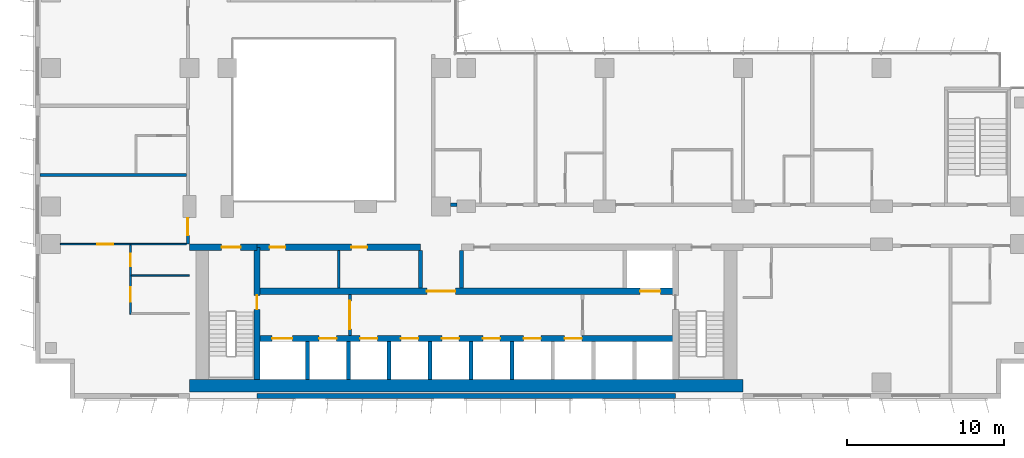
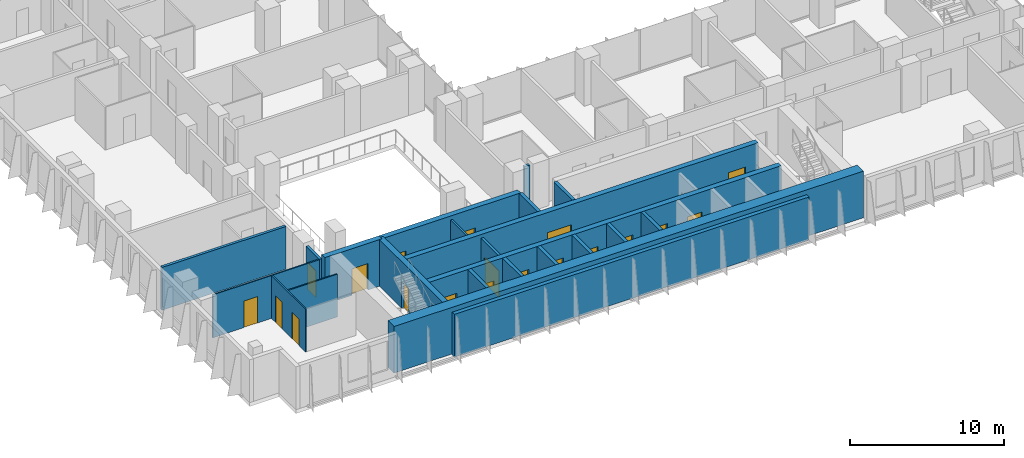
# One storey, part 12 of 22: 23 walls, 19 doors, 19 openings.
"""IFC4 building model written with IfcOpenShell, lengths in metres."""

from ifc_helpers import new_model, si_unit, direction, frame, frame_2d, origin, place, context, subcontext, project, spatial, rectangle, extrude, material, layer, layer_set, type_object, element, fill, save


model = new_model("IFC4")

# Units and contexts
model_context = context("Model", 3, precision=1e-05, world=origin(), true_north=direction((0.0, 1.0)))
body_context = subcontext(model_context, "Body", "Model", "MODEL_VIEW")
ifc_project = project(units=[si_unit("LENGTHUNIT", "METRE"), si_unit("AREAUNIT", "SQUARE_METRE"), si_unit("VOLUMEUNIT", "CUBIC_METRE"), si_unit("PLANEANGLEUNIT", "RADIAN"), si_unit("MASSUNIT", "GRAM", prefix="KILO")], contexts=[model_context])

# Site, building, storey
site_placement = place(None, origin())
site = spatial("IfcSite", under=ifc_project, at=site_placement, CompositionType="ELEMENT")
building_placement = place(site_placement, origin())
building = spatial("IfcBuilding", under=site, at=building_placement, Name="Kemantara Hotel Tower", CompositionType="ELEMENT")
storey_placement = place(building_placement, frame((0.0, 0.0, 94.5)))
storey = spatial("IfcBuildingStorey", under=building, at=storey_placement, Name="L22", CompositionType="ELEMENT", Elevation=94.5)

# Walls
ifc_material_1 = material(Name="Bronze anodised aluminium cladding on insulated steel stud wall", Category="steel")
ifc_layer_1 = layer(ifc_material_1, 0.300048828125)
ifc_layer_set_1 = layer_set([ifc_layer_1], Name="Bronze anodised aluminium cladding on insulated steel stud wall")
wall_type_1 = type_object("IfcWallType", Name="BRONZE METAL-CLAD EXTERNAL WALL 300", PredefinedType="STANDARD", material=ifc_layer_set_1)
wall_1_placement = place(storey_placement, frame((14.10009765625, 0.14990234375, 0.0), z_axis=(0.0, 0.0, 1.0), x_axis=(1.0, 0.0, 0.0)))
element("IfcWall", 1, at=wall_1_placement, inside=storey, type_object=wall_type_1, Name="EXTERNAL WALL L22 T2-R07-2", PredefinedType="STANDARD", context=body_context, shape_type="SweptSolid", body=[
    extrude(rectangle(XDim=26.599853515625, YDim=0.300048828125, at=frame_2d((13.2998046875, 0.0))), origin(), (0.0, 0.0, 1.0), 3.39990234375),
])
ifc_material_2 = material(Name="Concrete fc 70 MPa", Category="concrete")
ifc_layer_2 = layer(ifc_material_2, 0.25)
ifc_layer_set_2 = layer_set([ifc_layer_2], Name="Concrete fc 70 MPa")
wall_type_2 = type_object("IfcWallType", Name="CORE WALL 250 FC70", PredefinedType="SHEAR", material=ifc_layer_set_2)
for number, where, z_axis, x_axis, name in (
    (2, (17.300048828125, 1.199951171875, 0.0), (0.0, 0.0, 1.0), (0.0, 1.0, 0.0), "CORE WALL CW-DS17.3"),
    (3, (19.89990234375, 1.199951171875, 0.0), (0.0, 0.0, 1.0), (0.0, 1.0, 0.0), "CORE WALL CW-DS19.9"),
    (4, (22.5, 1.199951171875, 0.0), (0.0, 0.0, 1.0), (0.0, 1.0, 0.0), "CORE WALL CW-DS22.5"),
    (5, (25.10009765625, 1.199951171875, 0.0), (0.0, 0.0, 1.0), (0.0, 1.0, 0.0), "CORE WALL CW-DS25.1"),
    (6, (27.699951171875, 1.199951171875, 0.0), (0.0, 0.0, 1.0), (0.0, 1.0, 0.0), "CORE WALL CW-DS27.7"),
    (7, (30.300048828125, 1.199951171875, 0.0), (0.0, 0.0, 1.0), (0.0, 1.0, 0.0), "CORE WALL CW-DS30.3"),
):
    element("IfcWall", number, at=place(storey_placement, frame(where, z_axis=z_axis, x_axis=x_axis)), inside=storey, type_object=wall_type_2, Name=name, PredefinedType="SHEAR", context=body_context, shape_type="SweptSolid", body=[
        extrude(rectangle(XDim=2.400146484375, YDim=0.25, at=frame_2d((1.2001953125, 0.0))), origin(), (0.0, 0.0, 1.0), 3.699951171875),
    ])
for number, where, z_axis, x_axis, name in (
    (8, (24.5, 7.0, 0.0), (0.0, 0.0, 1.0), (0.0, 1.0, 0.0), "CORE WALL CW-DN24.5"),
    (9, (27.10009765625, 7.0, 0.0), (0.0, 0.0, 1.0), (0.0, 1.0, 0.0), "CORE WALL CW-DN27.1"),
):
    element("IfcWall", number, at=place(storey_placement, frame(where, z_axis=z_axis, x_axis=x_axis)), inside=storey, type_object=wall_type_2, Name=name, PredefinedType="SHEAR", context=body_context, shape_type="SweptSolid", body=[
        extrude(rectangle(XDim=2.39990234375, YDim=0.25, at=frame_2d((1.199951171875, 0.0))), origin(), (0.0, 0.0, 1.0), 3.699951171875),
    ])

# Wall, opening, door
ifc_layer_3 = layer(ifc_material_2, 0.39990234375)
ifc_layer_set_3 = layer_set([ifc_layer_3], Name="Concrete fc 70 MPa")
wall_type_3 = type_object("IfcWallType", Name="CORE WALL 400 FC70", PredefinedType="SHEAR", material=ifc_layer_set_3)
wall_2_placement = place(storey_placement, frame((9.800048828125, 9.60009765625, 0.0), z_axis=(0.0, 0.0, 1.0), x_axis=(1.0, 0.0, 0.0)))
wall_2 = element("IfcWall", 10, at=wall_2_placement, inside=storey, type_object=wall_type_3, Name="CORE WALL CW-N1", PredefinedType="SHEAR", context=body_context, shape_type="SweptSolid", body=[
    extrude(rectangle(XDim=4.300048828125, YDim=0.39990234375, at=frame_2d((2.14990234375, 0.0))), origin(), (0.0, 0.0, 1.0), 3.699951171875),
])
opening_1_placement = place(wall_2_placement, frame((2.050048828125, 0.0, 0.0)))
opening_1 = element("IfcOpeningElement", 11, at=opening_1_placement, cuts=wall_2, Name="Opening C15-ST1-C", PredefinedType="OPENING", context=body_context, shape_type="SweptSolid", body=[
    extrude(rectangle(XDim=1.199951171875, YDim=2.10009765625, at=frame_2d((0.60009765625, 1.050048828125))), frame((0.0, 0.2099609375, 0.0), z_axis=(0.0, -1.0, 0.0), x_axis=(1.0, 0.0, 0.0)), (0.0, 0.0, 1.0), 0.419921875),
])
ifc_material_3 = material(Name="Steel fire door", Category="steel")
door_type_1 = type_object("IfcDoorType", Name="Fire door FD90 1200 x 2100", OperationType="NOTDEFINED", PredefinedType="DOOR", material=ifc_material_3)
door_1_placement = place(opening_1_placement, frame((1.199951171875, 0.0, 0.0), z_axis=(0.0, 0.0, 1.0), x_axis=(-1.0, 0.0, 0.0)))
door_1 = element("IfcDoor", 12, at=door_1_placement, inside=storey, type_object=door_type_1, Name="Stair ST1 door to corridor", OperationType="SINGLE_SWING_LEFT", OverallHeight=2.10009765625, OverallWidth=1.199951171875, PredefinedType="DOOR", context=body_context, shape_type="SweptSolid", body=[
    extrude(rectangle(XDim=1.199951171875, YDim=2.10009765625, at=frame_2d((0.60009765625, 1.050048828125))), frame((0.0, 0.02490234375, 0.0), z_axis=(0.0, -1.0, 0.0), x_axis=(1.0, 0.0, 0.0)), (0.0, 0.0, 1.0), 0.050048828125),
])
fill(opening_1, door_1)

# Wall, openings, doors
wall_3_placement = place(storey_placement, frame((14.10009765625, 9.60009765625, 0.0), z_axis=(0.0, 0.0, 1.0), x_axis=(1.0, 0.0, 0.0)))
wall_3 = element("IfcWall", 13, at=wall_3_placement, inside=storey, type_object=wall_type_3, Name="CORE WALL CW-NN1", PredefinedType="SHEAR", context=body_context, shape_type="SweptSolid", body=[
    extrude(rectangle(XDim=10.39990234375, YDim=0.39990234375, at=frame_2d((5.199951171875, 0.0))), origin(), (0.0, 0.0, 1.0), 3.699951171875),
])
opening_2_placement = place(wall_3_placement, frame((0.800048828125, 0.0, 0.0)))
opening_2 = element("IfcOpeningElement", 14, at=opening_2_placement, cuts=wall_3, Name="Opening C15-R-NW1", PredefinedType="OPENING", context=body_context, shape_type="SweptSolid", body=[
    extrude(rectangle(XDim=1.0, YDim=2.10009765625, at=frame_2d((0.5, 1.050048828125))), frame((0.0, 0.2099609375, 0.0), z_axis=(0.0, -1.0, 0.0), x_axis=(1.0, 0.0, 0.0)), (0.0, 0.0, 1.0), 0.419921875),
])
opening_3_placement = place(wall_3_placement, frame((6.0, 0.0, 0.0)))
opening_3 = element("IfcOpeningElement", 15, at=opening_3_placement, cuts=wall_3, Name="Opening C15-R-NW2", PredefinedType="OPENING", context=body_context, shape_type="SweptSolid", body=[
    extrude(rectangle(XDim=1.0, YDim=2.10009765625, at=frame_2d((0.5, 1.050048828125))), frame((0.0, 0.2099609375, 0.0), z_axis=(0.0, -1.0, 0.0), x_axis=(1.0, 0.0, 0.0)), (0.0, 0.0, 1.0), 0.419921875),
])
door_type_2 = type_object("IfcDoorType", Name="Fire door FD30S 1000 x 2100", OperationType="NOTDEFINED", PredefinedType="DOOR", material=ifc_material_3)
door_2_placement = place(opening_2_placement, frame((1.0, 0.0, 0.0), z_axis=(0.0, 0.0, 1.0), x_axis=(-1.0, 0.0, 0.0)))
door_2 = element("IfcDoor", 16, at=door_2_placement, inside=storey, type_object=door_type_2, Name="Housekeeping Store door", OperationType="SINGLE_SWING_RIGHT", OverallHeight=2.10009765625, OverallWidth=1.0, PredefinedType="DOOR", context=body_context, shape_type="SweptSolid", body=[
    extrude(rectangle(XDim=1.0, YDim=2.10009765625, at=frame_2d((0.5, 1.050048828125))), frame((0.0, 0.02490234375, 0.0), z_axis=(0.0, -1.0, 0.0), x_axis=(1.0, 0.0, 0.0)), (0.0, 0.0, 1.0), 0.050048828125),
])
fill(opening_2, door_2)
door_3_placement = place(opening_3_placement, frame((1.0, 0.0, 0.0), z_axis=(0.0, 0.0, 1.0), x_axis=(-1.0, 0.0, 0.0)))
door_3 = element("IfcDoor", 17, at=door_3_placement, inside=storey, type_object=door_type_2, Name="Guest Pantry door", OperationType="SINGLE_SWING_LEFT", OverallHeight=2.10009765625, OverallWidth=1.0, PredefinedType="DOOR", context=body_context, shape_type="SweptSolid", body=[
    extrude(rectangle(XDim=1.0, YDim=2.10009765625, at=frame_2d((0.5, 1.050048828125))), frame((0.0, 0.02490234375, 0.0), z_axis=(0.0, -1.0, 0.0), x_axis=(1.0, 0.0, 0.0)), (0.0, 0.0, 1.0), 0.050048828125),
])
fill(opening_3, door_3)

wall_4_placement = place(storey_placement, frame((14.10009765625, 3.800048828125, 0.0), z_axis=(0.0, 0.0, 1.0), x_axis=(1.0, 0.0, 0.0)))
wall_4 = element("IfcWall", 18, at=wall_4_placement, inside=storey, type_object=wall_type_3, Name="CORE WALL CW-L1", PredefinedType="SHEAR", context=body_context, shape_type="SweptSolid", body=[
    extrude(rectangle(XDim=26.599853515625, YDim=0.39990234375, at=frame_2d((13.2998046875, 0.0))), origin(), (0.0, 0.0, 1.0), 3.699951171875),
])
opening_4_placement = place(wall_4_placement, frame((0.949951171875, 0.0, 0.0)))
opening_4 = element("IfcOpeningElement", 19, at=opening_4_placement, cuts=wall_4, Name="Opening C15-LD-FF1", PredefinedType="OPENING", context=body_context, shape_type="SweptSolid", body=[
    extrude(rectangle(XDim=1.300048828125, YDim=2.10009765625, at=frame_2d((0.64990234375, 1.050048828125))), frame((0.0, 0.2099609375, 0.0), z_axis=(0.0, -1.0, 0.0), x_axis=(1.0, 0.0, 0.0)), (0.0, 0.0, 1.0), 0.419921875),
])
opening_5_placement = place(wall_4_placement, frame((3.949951171875, 0.0, 0.0)))
opening_5 = element("IfcOpeningElement", 20, at=opening_5_placement, cuts=wall_4, Name="Opening C15-LD-SV1", PredefinedType="OPENING", context=body_context, shape_type="SweptSolid", body=[
    extrude(rectangle(XDim=1.10009765625, YDim=2.10009765625, at=frame_2d((0.550048828125, 1.050048828125))), frame((0.0, 0.2099609375, 0.0), z_axis=(0.0, -1.0, 0.0), x_axis=(1.0, 0.0, 0.0)), (0.0, 0.0, 1.0), 0.419921875),
])
opening_6_placement = place(wall_4_placement, frame((6.550048828125, 0.0, 0.0)))
opening_6 = element("IfcOpeningElement", 21, at=opening_6_placement, cuts=wall_4, Name="Opening C15-LD-SV2", PredefinedType="OPENING", context=body_context, shape_type="SweptSolid", body=[
    extrude(rectangle(XDim=1.10009765625, YDim=2.10009765625, at=frame_2d((0.550048828125, 1.050048828125))), frame((0.0, 0.2099609375, 0.0), z_axis=(0.0, -1.0, 0.0), x_axis=(1.0, 0.0, 0.0)), (0.0, 0.0, 1.0), 0.419921875),
])
opening_7_placement = place(wall_4_placement, frame((9.14990234375, 0.0, 0.0)))
opening_7 = element("IfcOpeningElement", 22, at=opening_7_placement, cuts=wall_4, Name="Opening C15-LD-SV3", PredefinedType="OPENING", context=body_context, shape_type="SweptSolid", body=[
    extrude(rectangle(XDim=1.10009765625, YDim=2.10009765625, at=frame_2d((0.550048828125, 1.050048828125))), frame((0.0, 0.2099609375, 0.0), z_axis=(0.0, -1.0, 0.0), x_axis=(1.0, 0.0, 0.0)), (0.0, 0.0, 1.0), 0.419921875),
])
opening_8_placement = place(wall_4_placement, frame((11.75, 0.0, 0.0)))
opening_8 = element("IfcOpeningElement", 23, at=opening_8_placement, cuts=wall_4, Name="Opening C15-LD-LR1", PredefinedType="OPENING", context=body_context, shape_type="SweptSolid", body=[
    extrude(rectangle(XDim=1.10009765625, YDim=2.10009765625, at=frame_2d((0.550048828125, 1.050048828125))), frame((0.0, 0.2099609375, 0.0), z_axis=(0.0, -1.0, 0.0), x_axis=(1.0, 0.0, 0.0)), (0.0, 0.0, 1.0), 0.419921875),
])
opening_9_placement = place(wall_4_placement, frame((14.35009765625, 0.0, 0.0)))
opening_9 = element("IfcOpeningElement", 24, at=opening_9_placement, cuts=wall_4, Name="Opening C15-LD-LR2", PredefinedType="OPENING", context=body_context, shape_type="SweptSolid", body=[
    extrude(rectangle(XDim=1.10009765625, YDim=2.10009765625, at=frame_2d((0.550048828125, 1.050048828125))), frame((0.0, 0.2099609375, 0.0), z_axis=(0.0, -1.0, 0.0), x_axis=(1.0, 0.0, 0.0)), (0.0, 0.0, 1.0), 0.419921875),
])
opening_10_placement = place(wall_4_placement, frame((16.949951171875, 0.0, 0.0)))
opening_10 = element("IfcOpeningElement", 25, at=opening_10_placement, cuts=wall_4, Name="Opening C15-LD-LR3", PredefinedType="OPENING", context=body_context, shape_type="SweptSolid", body=[
    extrude(rectangle(XDim=1.10009765625, YDim=2.10009765625, at=frame_2d((0.550048828125, 1.050048828125))), frame((0.0, 0.2099609375, 0.0), z_axis=(0.0, -1.0, 0.0), x_axis=(1.0, 0.0, 0.0)), (0.0, 0.0, 1.0), 0.419921875),
])
opening_11_placement = place(wall_4_placement, frame((19.550048828125, 0.0, 0.0)))
opening_11 = element("IfcOpeningElement", 26, at=opening_11_placement, cuts=wall_4, Name="Opening C15-LD-LR4", PredefinedType="OPENING", context=body_context, shape_type="SweptSolid", body=[
    extrude(rectangle(XDim=1.10009765625, YDim=2.10009765625, at=frame_2d((0.550048828125, 1.050048828125))), frame((0.0, 0.2099609375, 0.0), z_axis=(0.0, -1.0, 0.0), x_axis=(1.0, 0.0, 0.0)), (0.0, 0.0, 1.0), 0.419921875),
])
ifc_material_4 = material(Name="Stainless steel lift door", Category="steel")
door_type_3 = type_object("IfcDoorType", Name="Lift landing door 1100 x 2100 FD60", OperationType="DOUBLE_DOOR_SLIDING", PredefinedType="DOOR", material=ifc_material_4)
door_4_placement = place(opening_5_placement, origin())
door_4 = element("IfcDoor", 27, at=door_4_placement, inside=storey, type_object=door_type_3, Name="Lift SV1 landing door", OperationType="DOUBLE_DOOR_SLIDING", OverallHeight=2.10009765625, OverallWidth=1.10009765625, PredefinedType="DOOR", context=body_context, shape_type="SweptSolid", body=[
    extrude(rectangle(XDim=1.10009765625, YDim=2.10009765625, at=frame_2d((0.550048828125, 1.050048828125))), frame((0.0, 0.02490234375, 0.0), z_axis=(0.0, -1.0, 0.0), x_axis=(1.0, 0.0, 0.0)), (0.0, 0.0, 1.0), 0.050048828125),
])
fill(opening_5, door_4)
door_5_placement = place(opening_6_placement, origin())
door_5 = element("IfcDoor", 28, at=door_5_placement, inside=storey, type_object=door_type_3, Name="Lift SV2 landing door", OperationType="DOUBLE_DOOR_SLIDING", OverallHeight=2.10009765625, OverallWidth=1.10009765625, PredefinedType="DOOR", context=body_context, shape_type="SweptSolid", body=[
    extrude(rectangle(XDim=1.10009765625, YDim=2.10009765625, at=frame_2d((0.550048828125, 1.050048828125))), frame((0.0, 0.02490234375, 0.0), z_axis=(0.0, -1.0, 0.0), x_axis=(1.0, 0.0, 0.0)), (0.0, 0.0, 1.0), 0.050048828125),
])
fill(opening_6, door_5)
door_6_placement = place(opening_7_placement, origin())
door_6 = element("IfcDoor", 29, at=door_6_placement, inside=storey, type_object=door_type_3, Name="Lift SV3 landing door", OperationType="DOUBLE_DOOR_SLIDING", OverallHeight=2.10009765625, OverallWidth=1.10009765625, PredefinedType="DOOR", context=body_context, shape_type="SweptSolid", body=[
    extrude(rectangle(XDim=1.10009765625, YDim=2.10009765625, at=frame_2d((0.550048828125, 1.050048828125))), frame((0.0, 0.02490234375, 0.0), z_axis=(0.0, -1.0, 0.0), x_axis=(1.0, 0.0, 0.0)), (0.0, 0.0, 1.0), 0.050048828125),
])
fill(opening_7, door_6)
door_7_placement = place(opening_8_placement, origin())
door_7 = element("IfcDoor", 30, at=door_7_placement, inside=storey, type_object=door_type_3, Name="Lift LR1 landing door", OperationType="DOUBLE_DOOR_SLIDING", OverallHeight=2.10009765625, OverallWidth=1.10009765625, PredefinedType="DOOR", context=body_context, shape_type="SweptSolid", body=[
    extrude(rectangle(XDim=1.10009765625, YDim=2.10009765625, at=frame_2d((0.550048828125, 1.050048828125))), frame((0.0, 0.02490234375, 0.0), z_axis=(0.0, -1.0, 0.0), x_axis=(1.0, 0.0, 0.0)), (0.0, 0.0, 1.0), 0.050048828125),
])
fill(opening_8, door_7)
door_8_placement = place(opening_9_placement, origin())
door_8 = element("IfcDoor", 31, at=door_8_placement, inside=storey, type_object=door_type_3, Name="Lift LR2 landing door", OperationType="DOUBLE_DOOR_SLIDING", OverallHeight=2.10009765625, OverallWidth=1.10009765625, PredefinedType="DOOR", context=body_context, shape_type="SweptSolid", body=[
    extrude(rectangle(XDim=1.10009765625, YDim=2.10009765625, at=frame_2d((0.550048828125, 1.050048828125))), frame((0.0, 0.02490234375, 0.0), z_axis=(0.0, -1.0, 0.0), x_axis=(1.0, 0.0, 0.0)), (0.0, 0.0, 1.0), 0.050048828125),
])
fill(opening_9, door_8)
door_9_placement = place(opening_10_placement, origin())
door_9 = element("IfcDoor", 32, at=door_9_placement, inside=storey, type_object=door_type_3, Name="Lift LR3 landing door", OperationType="DOUBLE_DOOR_SLIDING", OverallHeight=2.10009765625, OverallWidth=1.10009765625, PredefinedType="DOOR", context=body_context, shape_type="SweptSolid", body=[
    extrude(rectangle(XDim=1.10009765625, YDim=2.10009765625, at=frame_2d((0.550048828125, 1.050048828125))), frame((0.0, 0.02490234375, 0.0), z_axis=(0.0, -1.0, 0.0), x_axis=(1.0, 0.0, 0.0)), (0.0, 0.0, 1.0), 0.050048828125),
])
fill(opening_10, door_9)
door_10_placement = place(opening_11_placement, origin())
door_10 = element("IfcDoor", 33, at=door_10_placement, inside=storey, type_object=door_type_3, Name="Lift LR4 landing door", OperationType="DOUBLE_DOOR_SLIDING", OverallHeight=2.10009765625, OverallWidth=1.10009765625, PredefinedType="DOOR", context=body_context, shape_type="SweptSolid", body=[
    extrude(rectangle(XDim=1.10009765625, YDim=2.10009765625, at=frame_2d((0.550048828125, 1.050048828125))), frame((0.0, 0.02490234375, 0.0), z_axis=(0.0, -1.0, 0.0), x_axis=(1.0, 0.0, 0.0)), (0.0, 0.0, 1.0), 0.050048828125),
])
fill(opening_11, door_10)
door_type_4 = type_object("IfcDoorType", Name="Lift landing door 1300 x 2100 FD90", OperationType="DOUBLE_DOOR_SLIDING", PredefinedType="DOOR", material=ifc_material_4)
door_11_placement = place(opening_4_placement, origin())
door_11 = element("IfcDoor", 34, at=door_11_placement, inside=storey, type_object=door_type_4, Name="Lift FF1 landing door", OperationType="DOUBLE_DOOR_SLIDING", OverallHeight=2.10009765625, OverallWidth=1.300048828125, PredefinedType="DOOR", context=body_context, shape_type="SweptSolid", body=[
    extrude(rectangle(XDim=1.300048828125, YDim=2.10009765625, at=frame_2d((0.64990234375, 1.050048828125))), frame((0.0, 0.02490234375, 0.0), z_axis=(0.0, -1.0, 0.0), x_axis=(1.0, 0.0, 0.0)), (0.0, 0.0, 1.0), 0.050048828125),
])
fill(opening_4, door_11)

wall_5_placement = place(storey_placement, frame((14.10009765625, 6.800048828125, 0.0), z_axis=(0.0, 0.0, 1.0), x_axis=(1.0, 0.0, 0.0)))
wall_5 = element("IfcWall", 35, at=wall_5_placement, inside=storey, type_object=wall_type_3, Name="CORE WALL CW-L2", PredefinedType="SHEAR", context=body_context, shape_type="SweptSolid", body=[
    extrude(rectangle(XDim=26.599853515625, YDim=0.39990234375, at=frame_2d((13.2998046875, 0.0))), origin(), (0.0, 0.0, 1.0), 3.699951171875),
])
opening_12_placement = place(wall_5_placement, frame((10.800048828125, 0.0, 0.0)))
opening_12 = element("IfcOpeningElement", 36, at=opening_12_placement, cuts=wall_5, Name="Opening C15-VL", PredefinedType="OPENING", context=body_context, shape_type="SweptSolid", body=[
    extrude(rectangle(XDim=1.800048828125, YDim=2.10009765625, at=frame_2d((0.89990234375, 1.050048828125))), frame((0.0, 0.2099609375, 0.0), z_axis=(0.0, -1.0, 0.0), x_axis=(1.0, 0.0, 0.0)), (0.0, 0.0, 1.0), 0.419921875),
])
opening_13_placement = place(wall_5_placement, frame((24.35009765625, 0.0, 0.0)))
opening_13 = element("IfcOpeningElement", 37, at=opening_13_placement, cuts=wall_5, Name="Opening C15-LD-FF2", PredefinedType="OPENING", context=body_context, shape_type="SweptSolid", body=[
    extrude(rectangle(XDim=1.300048828125, YDim=2.10009765625, at=frame_2d((0.64990234375, 1.050048828125))), frame((0.0, 0.2099609375, 0.0), z_axis=(0.0, -1.0, 0.0), x_axis=(1.0, 0.0, 0.0)), (0.0, 0.0, 1.0), 0.419921875),
])
door_type_5 = type_object("IfcDoorType", Name="Fire door pair FD60 1800 x 2100", OperationType="DOUBLE_DOOR_SINGLE_SWING", PredefinedType="DOOR", material=ifc_material_3)
door_12_placement = place(opening_12_placement, frame((1.800048828125, 0.0, 0.0), z_axis=(0.0, 0.0, 1.0), x_axis=(-1.0, 0.0, 0.0)))
door_12 = element("IfcDoor", 38, at=door_12_placement, inside=storey, type_object=door_type_5, Name="Lift lobby entry door", OperationType="DOUBLE_DOOR_SINGLE_SWING", OverallHeight=2.10009765625, OverallWidth=1.800048828125, PredefinedType="DOOR", context=body_context, shape_type="SweptSolid", body=[
    extrude(rectangle(XDim=1.800048828125, YDim=2.10009765625, at=frame_2d((0.89990234375, 1.050048828125))), frame((0.0, 0.02490234375, 0.0), z_axis=(0.0, -1.0, 0.0), x_axis=(1.0, 0.0, 0.0)), (0.0, 0.0, 1.0), 0.050048828125),
])
fill(opening_12, door_12)
door_13_placement = place(opening_13_placement, origin())
door_13 = element("IfcDoor", 39, at=door_13_placement, inside=storey, type_object=door_type_4, Name="Lift FF2 landing door", OperationType="DOUBLE_DOOR_SLIDING", OverallHeight=2.10009765625, OverallWidth=1.300048828125, PredefinedType="DOOR", context=body_context, shape_type="SweptSolid", body=[
    extrude(rectangle(XDim=1.300048828125, YDim=2.10009765625, at=frame_2d((0.64990234375, 1.050048828125))), frame((0.0, 0.02490234375, 0.0), z_axis=(0.0, -1.0, 0.0), x_axis=(1.0, 0.0, 0.0)), (0.0, 0.0, 1.0), 0.050048828125),
])
fill(opening_13, door_13)

# Wall, opening, door
wall_6_placement = place(storey_placement, frame((14.10009765625, 1.199951171875, 0.0), z_axis=(0.0, 0.0, 1.0), x_axis=(0.0, 1.0, 0.0)))
wall_6 = element("IfcWall", 40, at=wall_6_placement, inside=storey, type_object=wall_type_3, Name="CORE WALL CW-ST1E", PredefinedType="SHEAR", context=body_context, shape_type="SweptSolid", body=[
    extrude(rectangle(XDim=8.400146484375, YDim=0.39990234375, at=frame_2d((4.2001953125, 0.0))), origin(), (0.0, 0.0, 1.0), 3.699951171875),
])
opening_14_placement = place(wall_6_placement, frame((4.449951171875, 0.0, 0.0)))
opening_14 = element("IfcOpeningElement", 41, at=opening_14_placement, cuts=wall_6, Name="Opening C15-ST1-F", PredefinedType="OPENING", context=body_context, shape_type="SweptSolid", body=[
    extrude(rectangle(XDim=0.89990234375, YDim=2.10009765625, at=frame_2d((0.449951171875, 1.050048828125))), frame((0.0, 0.2099609375, 0.0), z_axis=(0.0, -1.0, 0.0), x_axis=(1.0, 0.0, 0.0)), (0.0, 0.0, 1.0), 0.419921875),
])
door_type_6 = type_object("IfcDoorType", Name="Fire door FD90 900 x 2100", OperationType="NOTDEFINED", PredefinedType="DOOR", material=ifc_material_3)
door_14_placement = place(opening_14_placement, origin())
door_14 = element("IfcDoor", 42, at=door_14_placement, inside=storey, type_object=door_type_6, Name="Stair ST1 door to firefighting lobby", OperationType="SINGLE_SWING_RIGHT", OverallHeight=2.10009765625, OverallWidth=0.89990234375, PredefinedType="DOOR", context=body_context, shape_type="SweptSolid", body=[
    extrude(rectangle(XDim=0.89990234375, YDim=2.10009765625, at=frame_2d((0.449951171875, 1.050048828125))), frame((0.0, 0.02490234375, 0.0), z_axis=(0.0, -1.0, 0.0), x_axis=(1.0, 0.0, 0.0)), (0.0, 0.0, 1.0), 0.050048828125),
])
fill(opening_14, door_14)

# Walls
ifc_layer_4 = layer(ifc_material_2, 0.800048828125)
ifc_layer_set_4 = layer_set([ifc_layer_4], Name="Concrete fc 70 MPa")
wall_type_4 = type_object("IfcWallType", Name="CORE WALL 800 FC70", PredefinedType="SHEAR", material=ifc_layer_set_4)
wall_7_placement = place(storey_placement, frame((9.800048828125, 0.800048828125, 0.0), z_axis=(0.0, 0.0, 1.0), x_axis=(1.0, 0.0, 0.0)))
element("IfcWall", 43, at=wall_7_placement, inside=storey, type_object=wall_type_4, Name="CORE WALL CW-S", PredefinedType="SHEAR", context=body_context, shape_type="SweptSolid", body=[
    extrude(rectangle(XDim=35.199951171875, YDim=0.800048828125, at=frame_2d((17.60009765625, 0.0))), origin(), (0.0, 0.0, 1.0), 3.699951171875),
])
ifc_material_5 = material(Name="Gypsum board partition, steel studs and mineral wool, 200 mm", Category="steel")
ifc_layer_5 = layer(ifc_material_5, 0.199951171875)
ifc_layer_set_5 = layer_set([ifc_layer_5], Name="Gypsum board partition, steel studs and mineral wool, 200 mm")
wall_type_5 = type_object("IfcWallType", Name="CORRIDOR WALL 200", PredefinedType="PARTITIONING", material=ifc_layer_set_5)
wall_8_placement = place(storey_placement, frame((26.400146484375, 12.300048828125, 0.0), z_axis=(0.0, 0.0, 1.0), x_axis=(1.0, 0.0, 0.0)))
element("IfcWall", 44, at=wall_8_placement, inside=storey, type_object=wall_type_5, Name="CORRIDOR WALL 200 004", PredefinedType="PARTITIONING", context=body_context, shape_type="SweptSolid", body=[
    extrude(rectangle(XDim=0.399658203125, YDim=0.199951171875, at=frame_2d((0.19970703125, 0.0))), origin(), (0.0, 0.0, 1.0), 3.39990234375),
])

# Wall, opening, door
wall_9_placement = place(storey_placement, frame((9.699951171875, 9.800048828125, 0.0), z_axis=(0.0, 0.0, 1.0), x_axis=(0.0, 1.0, 0.0)))
wall_9 = element("IfcWall", 45, at=wall_9_placement, inside=storey, type_object=wall_type_5, Name="CORRIDOR WALL 200 015", PredefinedType="PARTITIONING", context=body_context, shape_type="SweptSolid", body=[
    extrude(rectangle(XDim=1.699951171875, YDim=0.199951171875, at=frame_2d((0.85009765625, 0.0))), origin(), (0.0, 0.0, 1.0), 3.39990234375),
])
opening_15_placement = place(wall_9_placement, frame((0.550048828125, 0.0, 0.0)))
opening_15 = element("IfcOpeningElement", 46, at=opening_15_placement, cuts=wall_9, Name="Opening F08-015", PredefinedType="OPENING", context=body_context, shape_type="SweptSolid", body=[
    extrude(rectangle(XDim=1.10009765625, YDim=2.10009765625, at=frame_2d((0.550048828125, 1.050048828125))), frame((0.0, 0.10986328125, 0.0), z_axis=(0.0, -1.0, 0.0), x_axis=(1.0, 0.0, 0.0)), (0.0, 0.0, 1.0), 0.219970703125),
])
ifc_material_6 = material(Name="Hardwood veneer door leaf with steel frame", Category="steel")
door_type_7 = type_object("IfcDoorType", Name="SUITE ENTRANCE DOOR 1100 X 2100 FD30S", OperationType="NOTDEFINED", PredefinedType="DOOR", material=ifc_material_6)
door_15_placement = place(opening_15_placement, origin())
door_15 = element("IfcDoor", 47, at=door_15_placement, inside=storey, type_object=door_type_7, Name="SUITE ENTRANCE DOOR F08-015", OperationType="SINGLE_SWING_RIGHT", OverallHeight=2.10009765625, OverallWidth=1.10009765625, PredefinedType="DOOR", context=body_context, shape_type="SweptSolid", body=[
    extrude(rectangle(XDim=1.10009765625, YDim=2.10009765625, at=frame_2d((0.550048828125, 1.050048828125))), frame((0.0, 0.02490234375, 0.0), z_axis=(0.0, -1.0, 0.0), x_axis=(1.0, 0.0, 0.0)), (0.0, 0.0, 1.0), 0.050048828125),
])
fill(opening_15, door_15)

# Walls
ifc_layer_6 = layer(ifc_material_5, 0.199951171875)
ifc_layer_set_6 = layer_set([ifc_layer_6], Name="Gypsum board partition, steel studs and mineral wool, 200 mm")
wall_type_6 = type_object("IfcWallType", Name="GUEST ROOM PARTY WALL 200", PredefinedType="PARTITIONING", material=ifc_layer_set_6)
wall_10_placement = place(storey_placement, frame((0.31005859375, 14.199951171875, 0.0), z_axis=(0.0, 0.0, 1.0), x_axis=(1.0, 0.0, 0.0)))
element("IfcWall", 48, at=wall_10_placement, inside=storey, type_object=wall_type_6, Name="GUEST ROOM PARTY WALL 200 024", PredefinedType="PARTITIONING", context=body_context, shape_type="SweptSolid", body=[
    extrude(rectangle(XDim=9.2900390625, YDim=0.199951171875, at=frame_2d((4.64501953125, 0.0))), origin(), (0.0, 0.0, 1.0), 3.39990234375),
])
ifc_material_7 = material(Name="Gypsum board partition")
ifc_layer_7 = layer(ifc_material_7, 0.14990234375)
ifc_layer_set_7 = layer_set([ifc_layer_7], Name="Gypsum board partition")
wall_type_7 = type_object("IfcWallType", Name="Gypsum board partition 150 mm", PredefinedType="PARTITIONING", material=ifc_layer_set_7)
wall_11_placement = place(storey_placement, frame((19.300048828125, 7.0, 0.0), z_axis=(0.0, 0.0, 1.0), x_axis=(0.0, 1.0, 0.0)))
element("IfcWall", 49, at=wall_11_placement, inside=storey, type_object=wall_type_7, Name="Core room partition", PredefinedType="PARTITIONING", context=body_context, shape_type="SweptSolid", body=[
    extrude(rectangle(XDim=2.39990234375, YDim=0.14990234375, at=frame_2d((1.199951171875, 0.0))), origin(), (0.0, 0.0, 1.0), 3.39990234375),
])

# Wall, opening, door
ifc_material_8 = material(Name="Gypsum board shaft wall")
ifc_layer_8 = layer(ifc_material_8, 0.199951171875)
ifc_layer_set_8 = layer_set([ifc_layer_8], Name="Gypsum board shaft wall")
wall_type_8 = type_object("IfcWallType", Name="Gypsum board shaft wall 200 mm", PredefinedType="PARTITIONING", material=ifc_layer_set_8)
wall_12_placement = place(storey_placement, frame((20.0, 4.0, 0.0), z_axis=(0.0, 0.0, 1.0), x_axis=(0.0, 1.0, 0.0)))
wall_12 = element("IfcWall", 50, at=wall_12_placement, inside=storey, type_object=wall_type_8, Name="Firefighting lobby partition west", PredefinedType="PARTITIONING", context=body_context, shape_type="SweptSolid", body=[
    extrude(rectangle(XDim=2.60009765625, YDim=0.199951171875, at=frame_2d((1.300048828125, 0.0))), origin(), (0.0, 0.0, 1.0), 3.39990234375),
])
opening_16_placement = place(wall_12_placement, frame((0.39990234375, 0.0, 0.0)))
opening_16 = element("IfcOpeningElement", 51, at=opening_16_placement, cuts=wall_12, Name="Opening C15-FFW", PredefinedType="OPENING", context=body_context, shape_type="SweptSolid", body=[
    extrude(rectangle(XDim=1.800048828125, YDim=2.10009765625, at=frame_2d((0.89990234375, 1.050048828125))), frame((0.0, 0.10986328125, 0.0), z_axis=(0.0, -1.0, 0.0), x_axis=(1.0, 0.0, 0.0)), (0.0, 0.0, 1.0), 0.219970703125),
])
door_16_placement = place(opening_16_placement, origin())
door_16 = element("IfcDoor", 52, at=door_16_placement, inside=storey, type_object=door_type_5, Name="Firefighting lobby door west", OperationType="DOUBLE_DOOR_SINGLE_SWING", OverallHeight=2.10009765625, OverallWidth=1.800048828125, PredefinedType="DOOR", context=body_context, shape_type="SweptSolid", body=[
    extrude(rectangle(XDim=1.800048828125, YDim=2.10009765625, at=frame_2d((0.89990234375, 1.050048828125))), frame((0.0, 0.02490234375, 0.0), z_axis=(0.0, -1.0, 0.0), x_axis=(1.0, 0.0, 0.0)), (0.0, 0.0, 1.0), 0.050048828125),
])
fill(opening_16, door_16)

# Wall, openings, doors
ifc_material_9 = material(Name="Gypsum board partition on steel studs, 100 mm", Category="steel")
ifc_layer_9 = layer(ifc_material_9, 0.10009765625)
ifc_layer_set_9 = layer_set([ifc_layer_9], Name="Gypsum board partition on steel studs, 100 mm")
wall_type_9 = type_object("IfcWallType", Name="ROOM PARTITION 100", PredefinedType="PARTITIONING", material=ifc_layer_set_9)
wall_13_placement = place(storey_placement, frame((6.050048828125, 9.75, 0.0), z_axis=(0.0, 0.0, 1.0), x_axis=(0.0, -1.0, 0.0)))
wall_13 = element("IfcWall", 53, at=wall_13_placement, inside=storey, type_object=wall_type_9, Name="ROOM PARTITION 100 065", PredefinedType="PARTITIONING", context=body_context, shape_type="SweptSolid", body=[
    extrude(rectangle(XDim=4.39990234375, YDim=0.10009765625, at=frame_2d((2.199951171875, 0.0))), origin(), (0.0, 0.0, 1.0), 3.39990234375),
])
opening_17_placement = place(wall_13_placement, frame((2.699951171875, 0.0, 0.0)))
opening_17 = element("IfcOpeningElement", 54, at=opening_17_placement, cuts=wall_13, Name="Opening F08-017", PredefinedType="OPENING", context=body_context, shape_type="SweptSolid", body=[
    extrude(rectangle(XDim=0.89990234375, YDim=2.10009765625, at=frame_2d((0.449951171875, 1.050048828125))), frame((0.0, 0.06005859375, 0.0), z_axis=(0.0, -1.0, 0.0), x_axis=(1.0, 0.0, 0.0)), (0.0, 0.0, 1.0), 0.1201171875),
])
opening_18_placement = place(wall_13_placement, frame((0.550048828125, 0.0, 0.0)))
opening_18 = element("IfcOpeningElement", 55, at=opening_18_placement, cuts=wall_13, Name="Opening F08-018", PredefinedType="OPENING", context=body_context, shape_type="SweptSolid", body=[
    extrude(rectangle(XDim=0.800048828125, YDim=2.10009765625, at=frame_2d((0.39990234375, 1.050048828125))), frame((0.0, 0.06005859375, 0.0), z_axis=(0.0, -1.0, 0.0), x_axis=(1.0, 0.0, 0.0)), (0.0, 0.0, 1.0), 0.1201171875),
])
door_type_8 = type_object("IfcDoorType", Name="BATHROOM DOOR 900 X 2100", OperationType="NOTDEFINED", PredefinedType="DOOR", material=ifc_material_6)
door_17_placement = place(opening_17_placement, origin())
door_17 = element("IfcDoor", 56, at=door_17_placement, inside=storey, type_object=door_type_8, Name="BATHROOM DOOR F08-017", OperationType="SINGLE_SWING_LEFT", OverallHeight=2.10009765625, OverallWidth=0.89990234375, PredefinedType="DOOR", context=body_context, shape_type="SweptSolid", body=[
    extrude(rectangle(XDim=0.89990234375, YDim=2.10009765625, at=frame_2d((0.449951171875, 1.050048828125))), frame((0.0, 0.02490234375, 0.0), z_axis=(0.0, -1.0, 0.0), x_axis=(1.0, 0.0, 0.0)), (0.0, 0.0, 1.0), 0.050048828125),
])
fill(opening_17, door_17)
door_type_9 = type_object("IfcDoorType", Name="WARDROBE DOOR 800 X 2100", OperationType="NOTDEFINED", PredefinedType="DOOR", material=ifc_material_6)
door_18_placement = place(opening_18_placement, origin())
door_18 = element("IfcDoor", 57, at=door_18_placement, inside=storey, type_object=door_type_9, Name="WARDROBE DOOR F08-018", OperationType="SINGLE_SWING_LEFT", OverallHeight=2.10009765625, OverallWidth=0.800048828125, PredefinedType="DOOR", context=body_context, shape_type="SweptSolid", body=[
    extrude(rectangle(XDim=0.800048828125, YDim=2.10009765625, at=frame_2d((0.39990234375, 1.050048828125))), frame((0.0, 0.02490234375, 0.0), z_axis=(0.0, -1.0, 0.0), x_axis=(1.0, 0.0, 0.0)), (0.0, 0.0, 1.0), 0.050048828125),
])
fill(opening_18, door_18)

# Wall, opening, door
wall_14_placement = place(storey_placement, frame((9.60009765625, 9.800048828125, 0.0), z_axis=(0.0, 0.0, 1.0), x_axis=(-1.0, 0.0, 0.0)))
wall_14 = element("IfcWall", 58, at=wall_14_placement, inside=storey, type_object=wall_type_9, Name="ROOM PARTITION 100 067", PredefinedType="PARTITIONING", context=body_context, shape_type="SweptSolid", body=[
    extrude(rectangle(XDim=8.0, YDim=0.10009765625, at=frame_2d((4.0, 0.0))), origin(), (0.0, 0.0, 1.0), 3.39990234375),
])
opening_19_placement = place(wall_14_placement, frame((4.64990234375, 0.0, 0.0)))
opening_19 = element("IfcOpeningElement", 59, at=opening_19_placement, cuts=wall_14, Name="Opening F08-016", PredefinedType="OPENING", context=body_context, shape_type="SweptSolid", body=[
    extrude(rectangle(XDim=1.0, YDim=2.10009765625, at=frame_2d((0.5, 1.050048828125))), frame((0.0, 0.06005859375, 0.0), z_axis=(0.0, -1.0, 0.0), x_axis=(1.0, 0.0, 0.0)), (0.0, 0.0, 1.0), 0.1201171875),
])
door_type_10 = type_object("IfcDoorType", Name="INTERNAL DOOR 1000 X 2100", OperationType="NOTDEFINED", PredefinedType="DOOR", material=ifc_material_6)
door_19_placement = place(opening_19_placement, origin())
door_19 = element("IfcDoor", 60, at=door_19_placement, inside=storey, type_object=door_type_10, Name="INTERNAL DOOR F08-016", OperationType="SINGLE_SWING_LEFT", OverallHeight=2.10009765625, OverallWidth=1.0, PredefinedType="DOOR", context=body_context, shape_type="SweptSolid", body=[
    extrude(rectangle(XDim=1.0, YDim=2.10009765625, at=frame_2d((0.5, 1.050048828125))), frame((0.0, 0.02490234375, 0.0), z_axis=(0.0, -1.0, 0.0), x_axis=(1.0, 0.0, 0.0)), (0.0, 0.0, 1.0), 0.050048828125),
])
fill(opening_19, door_19)

# Wall
wall_15_placement = place(storey_placement, frame((6.10009765625, 7.800048828125, 0.0), z_axis=(0.0, 0.0, 1.0), x_axis=(1.0, 0.0, 0.0)))
element("IfcWall", 61, at=wall_15_placement, inside=storey, type_object=wall_type_9, Name="ROOM PARTITION 100 069", PredefinedType="PARTITIONING", context=body_context, shape_type="SweptSolid", body=[
    extrude(rectangle(XDim=3.69970703125, YDim=0.10009765625, at=frame_2d((1.849853515625, 0.0))), origin(), (0.0, 0.0, 1.0), 3.39990234375),
])

save(model, "model.ifc")
